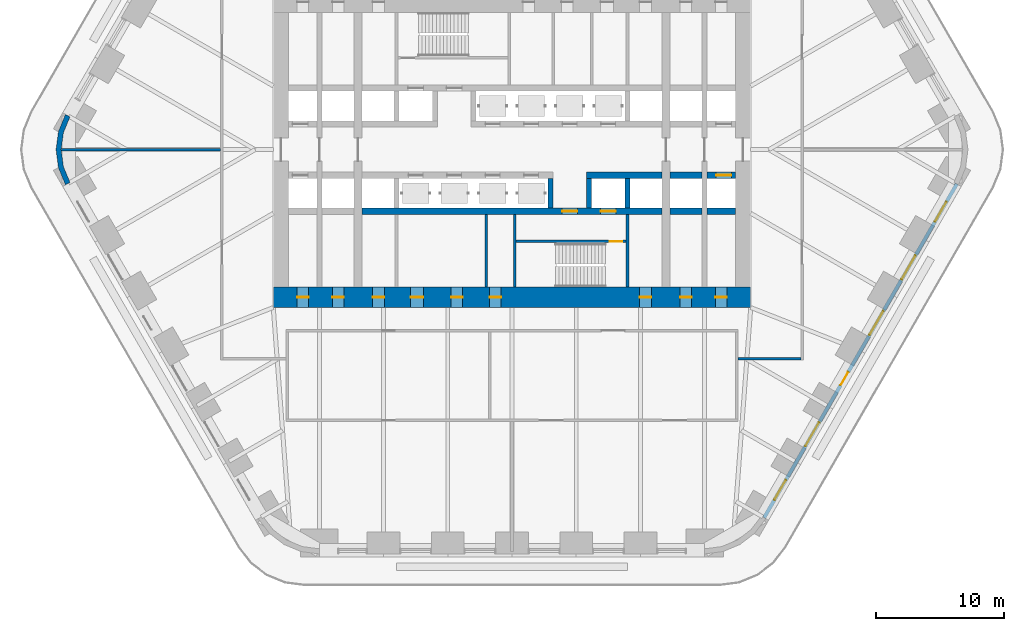
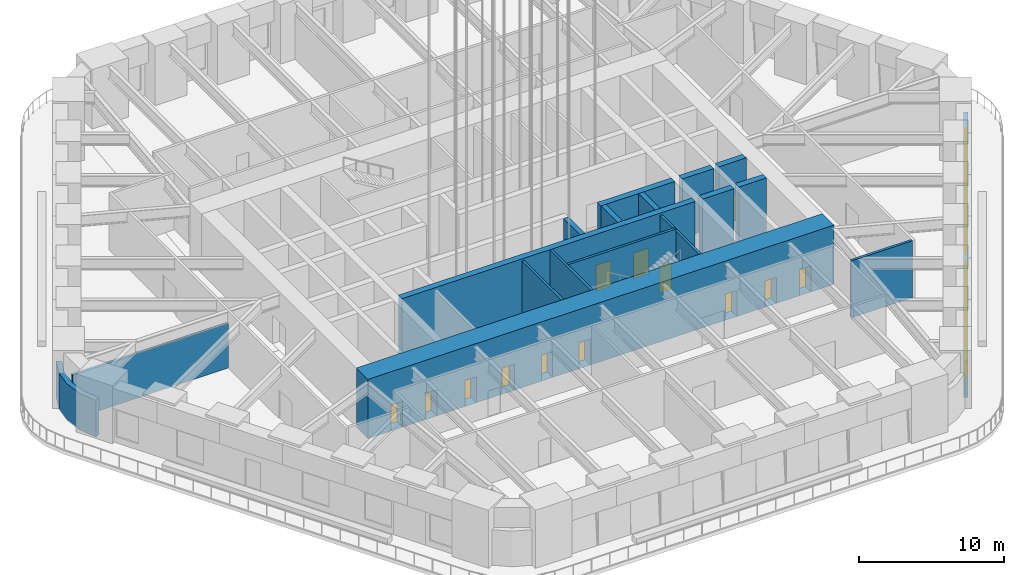
# One storey, part 8 of 15: 18 walls, 14 doors, 5 windows, 19 openings.
"""IFC4 building model written with IfcOpenShell, lengths in metres."""

from ifc_helpers import new_model, si_unit, direction, frame, frame_2d, origin, place, context, subcontext, project, spatial, polyline, rectangle, outline, extrude, material, layer, layer_set, type_object, element, fill, save


model = new_model("IFC4")

# Units and contexts
model_context = context("Model", 3, precision=1e-05, world=origin(), true_north=direction((0.0, 1.0)))
body_context = subcontext(model_context, "Body", "Model", "MODEL_VIEW")
ifc_project = project(units=[si_unit("LENGTHUNIT", "METRE"), si_unit("AREAUNIT", "SQUARE_METRE"), si_unit("VOLUMEUNIT", "CUBIC_METRE"), si_unit("PLANEANGLEUNIT", "RADIAN"), si_unit("MASSUNIT", "GRAM", prefix="KILO")], contexts=[model_context])

# Site, building, storey
site_placement = place(None, origin())
site = spatial("IfcSite", under=ifc_project, at=site_placement, CompositionType="ELEMENT")
building_placement = place(site_placement, origin())
building = spatial("IfcBuilding", under=site, at=building_placement, Name="Tarfa Lantern Tower", CompositionType="ELEMENT")
storey_placement = place(building_placement, frame((0.0, 0.0, 114.5)))
storey = spatial("IfcBuildingStorey", under=building, at=storey_placement, Name="L25", CompositionType="ELEMENT", Elevation=114.5)

# Wall, openings, door, windows
ifc_material_1 = material(Name="Limestone cladding on blockwork", Category="masonry")
ifc_layer_1 = layer(ifc_material_1, 0.300048828125)
ifc_layer_set_1 = layer_set([ifc_layer_1], Name="EW1 STONE-CLAD WALL 300")
wall_type_1 = type_object("IfcWallType", Name="EW1 STONE-CLAD WALL 300", PredefinedType="SOLIDWALL", material=ifc_layer_set_1)
wall_1_placement = place(storey_placement, frame((19.644287109375, -28.675048828125, 0.0), z_axis=(0.0, 0.0, 1.0), x_axis=(0.500003084452, 0.866023622968, 0.0)))
wall_1 = element("IfcWall", 1, at=wall_1_placement, inside=storey, type_object=wall_type_1, Name="Stone wall SE", PredefinedType="SOLIDWALL", context=body_context, shape_type="SweptSolid", body=[
    extrude(rectangle(XDim=30.022216796875, YDim=0.300048828125, at=frame_2d((15.01123046875, 0.0))), origin(), (0.0, 0.0, 1.0), 3.10009765625),
])
opening_1_placement = place(wall_1_placement, frame((1.601806640625, 0.0, 0.60009765625)))
opening_1 = element("IfcOpeningElement", 2, at=opening_1_placement, cuts=wall_1, Name="Opening W4", PredefinedType="OPENING", context=body_context, shape_type="SweptSolid", body=[
    extrude(rectangle(XDim=1.800048828125, YDim=2.25, at=frame_2d((0.89990234375, 1.125))), frame((0.0, 0.159912109375, 0.0), z_axis=(0.0, -1.0, 0.0), x_axis=(1.0, 0.0, 0.0)), (0.0, 0.0, 1.0), 0.320068359375),
])
opening_2_placement = place(wall_1_placement, frame((6.4306640625, 0.0, 0.60009765625)))
opening_2 = element("IfcOpeningElement", 3, at=opening_2_placement, cuts=wall_1, Name="Opening W5", PredefinedType="OPENING", context=body_context, shape_type="SweptSolid", body=[
    extrude(rectangle(XDim=2.14990234375, YDim=2.25, at=frame_2d((1.074951171875, 1.125))), frame((0.0, 0.159912109375, 0.0), z_axis=(0.0, -1.0, 0.0), x_axis=(1.0, 0.0, 0.0)), (0.0, 0.0, 1.0), 0.320068359375),
])
opening_3_placement = place(wall_1_placement, frame((11.9091796875, 0.0, 0.0)))
opening_3 = element("IfcOpeningElement", 4, at=opening_3_placement, cuts=wall_1, Name="Opening D44", PredefinedType="OPENING", context=body_context, shape_type="SweptSolid", body=[
    extrude(rectangle(XDim=1.199951171875, YDim=2.39990234375, at=frame_2d((0.60009765625, 1.199951171875))), frame((0.0, 0.159912109375, 0.0), z_axis=(0.0, -1.0, 0.0), x_axis=(1.0, 0.0, 0.0)), (0.0, 0.0, 1.0), 0.320068359375),
])
opening_4_placement = place(wall_1_placement, frame((16.43798828125, 0.0, 0.60009765625)))
opening_4 = element("IfcOpeningElement", 5, at=opening_4_placement, cuts=wall_1, Name="Opening W5", PredefinedType="OPENING", context=body_context, shape_type="SweptSolid", body=[
    extrude(rectangle(XDim=2.14990234375, YDim=2.25, at=frame_2d((1.074951171875, 1.125))), frame((0.0, 0.159912109375, 0.0), z_axis=(0.0, -1.0, 0.0), x_axis=(1.0, 0.0, 0.0)), (0.0, 0.0, 1.0), 0.320068359375),
])
opening_5_placement = place(wall_1_placement, frame((21.441650390625, 0.0, 0.60009765625)))
opening_5 = element("IfcOpeningElement", 6, at=opening_5_placement, cuts=wall_1, Name="Opening W5", PredefinedType="OPENING", context=body_context, shape_type="SweptSolid", body=[
    extrude(rectangle(XDim=2.14990234375, YDim=2.25, at=frame_2d((1.074951171875, 1.125))), frame((0.0, 0.159912109375, 0.0), z_axis=(0.0, -1.0, 0.0), x_axis=(1.0, 0.0, 0.0)), (0.0, 0.0, 1.0), 0.320068359375),
])
opening_6_placement = place(wall_1_placement, frame((26.620361328125, 0.0, 0.60009765625)))
opening_6 = element("IfcOpeningElement", 7, at=opening_6_placement, cuts=wall_1, Name="Opening W4", PredefinedType="OPENING", context=body_context, shape_type="SweptSolid", body=[
    extrude(rectangle(XDim=1.800048828125, YDim=2.25, at=frame_2d((0.89990234375, 1.125))), frame((0.0, 0.159912109375, 0.0), z_axis=(0.0, -1.0, 0.0), x_axis=(1.0, 0.0, 0.0)), (0.0, 0.0, 1.0), 0.320068359375),
])
ifc_material_2 = material(Name="Aluminium framed glazed door", Category="aluminium")
door_type_1 = type_object("IfcDoorType", Name="BE3 BALCONY DOOR 1200x2400", OperationType="SINGLE_SWING_RIGHT", PredefinedType="DOOR", material=ifc_material_2)
door_1_placement = place(opening_3_placement, origin())
door_1 = element("IfcDoor", 8, at=door_1_placement, inside=storey, type_object=door_type_1, Name="Balcony door SE", OperationType="SINGLE_SWING_RIGHT", OverallHeight=2.39990234375, OverallWidth=1.199951171875, PredefinedType="DOOR", context=body_context, shape_type="SweptSolid", body=[
    extrude(rectangle(XDim=1.199951171875, YDim=2.39990234375, at=frame_2d((0.60009765625, 1.199951171875))), frame((0.0, 0.02490234375, 0.0), z_axis=(0.0, -1.0, 0.0), x_axis=(1.0, 0.0, 0.0)), (0.0, 0.0, 1.0), 0.050048828125),
])
fill(opening_3, door_1)
ifc_material_3 = material(Name="Aluminium frame, double glazed", Category="aluminium")
window_type_1 = type_object("IfcWindowType", Name="W4 FULL-HEIGHT GLAZING 1800x2250", PartitioningType="SINGLE_PANEL", PredefinedType="WINDOW", material=ifc_material_3)
window_1_placement = place(opening_1_placement, origin())
window_1 = element("IfcWindow", 9, at=window_1_placement, inside=storey, type_object=window_type_1, Name="Window SE 1", OverallHeight=2.25, OverallWidth=1.800048828125, PartitioningType="SINGLE_PANEL", PredefinedType="WINDOW", context=body_context, shape_type="SweptSolid", body=[
    extrude(rectangle(XDim=1.800048828125, YDim=2.25, at=frame_2d((0.89990234375, 1.125))), frame((0.0, 0.030029296875, 0.0), z_axis=(0.0, -1.0, 0.0), x_axis=(1.0, 0.0, 0.0)), (0.0, 0.0, 1.0), 0.06005859375),
])
fill(opening_1, window_1)
window_2_placement = place(opening_6_placement, origin())
window_2 = element("IfcWindow", 10, at=window_2_placement, inside=storey, type_object=window_type_1, Name="Window SE 6", OverallHeight=2.25, OverallWidth=1.800048828125, PartitioningType="SINGLE_PANEL", PredefinedType="WINDOW", context=body_context, shape_type="SweptSolid", body=[
    extrude(rectangle(XDim=1.800048828125, YDim=2.25, at=frame_2d((0.89990234375, 1.125))), frame((0.0, 0.030029296875, 0.0), z_axis=(0.0, -1.0, 0.0), x_axis=(1.0, 0.0, 0.0)), (0.0, 0.0, 1.0), 0.06005859375),
])
fill(opening_6, window_2)
window_type_2 = type_object("IfcWindowType", Name="W5 FULL-HEIGHT GLAZING 2150x2250", PartitioningType="SINGLE_PANEL", PredefinedType="WINDOW", material=ifc_material_3)
window_3_placement = place(opening_2_placement, origin())
window_3 = element("IfcWindow", 11, at=window_3_placement, inside=storey, type_object=window_type_2, Name="Window SE 2", OverallHeight=2.25, OverallWidth=2.14990234375, PartitioningType="SINGLE_PANEL", PredefinedType="WINDOW", context=body_context, shape_type="SweptSolid", body=[
    extrude(rectangle(XDim=2.14990234375, YDim=2.25, at=frame_2d((1.074951171875, 1.125))), frame((0.0, 0.030029296875, 0.0), z_axis=(0.0, -1.0, 0.0), x_axis=(1.0, 0.0, 0.0)), (0.0, 0.0, 1.0), 0.06005859375),
])
fill(opening_2, window_3)
window_4_placement = place(opening_4_placement, origin())
window_4 = element("IfcWindow", 12, at=window_4_placement, inside=storey, type_object=window_type_2, Name="Window SE 4", OverallHeight=2.25, OverallWidth=2.14990234375, PartitioningType="SINGLE_PANEL", PredefinedType="WINDOW", context=body_context, shape_type="SweptSolid", body=[
    extrude(rectangle(XDim=2.14990234375, YDim=2.25, at=frame_2d((1.074951171875, 1.125))), frame((0.0, 0.030029296875, 0.0), z_axis=(0.0, -1.0, 0.0), x_axis=(1.0, 0.0, 0.0)), (0.0, 0.0, 1.0), 0.06005859375),
])
fill(opening_4, window_4)
window_5_placement = place(opening_5_placement, origin())
window_5 = element("IfcWindow", 13, at=window_5_placement, inside=storey, type_object=window_type_2, Name="Window SE 5", OverallHeight=2.25, OverallWidth=2.14990234375, PartitioningType="SINGLE_PANEL", PredefinedType="WINDOW", context=body_context, shape_type="SweptSolid", body=[
    extrude(rectangle(XDim=2.14990234375, YDim=2.25, at=frame_2d((1.074951171875, 1.125))), frame((0.0, 0.030029296875, 0.0), z_axis=(0.0, -1.0, 0.0), x_axis=(1.0, 0.0, 0.0)), (0.0, 0.0, 1.0), 0.06005859375),
])
fill(opening_5, window_5)

# Walls
ifc_layer_2 = layer(ifc_material_1, 0.39990234375)
ifc_layer_set_2 = layer_set([ifc_layer_2], Name="EW2 CURVED STONE CORNER 400")
wall_type_2 = type_object("IfcWallType", Name="EW2 CURVED STONE CORNER 400", PredefinedType="SOLIDWALL", material=ifc_layer_set_2)
wall_2_placement = place(storey_placement, origin())
element("IfcWall", 14, at=wall_2_placement, inside=storey, type_object=wall_type_2, Name="Stone corner NW-SW", PredefinedType="SOLIDWALL", context=body_context, shape_type="SweptSolid", body=[
    extrude(outline(polyline([(-34.785400390625, 2.75), (-35.334716796875, 1.423583984375), (-35.522216796875, 0.0), (-35.334716796875, -1.423583984375), (-34.785400390625, -2.75), (-34.43896484375, -2.550048828125), (-34.948486328125, -1.320068359375), (-35.122314453125, 0.0), (-34.948486328125, 1.320068359375), (-34.43896484375, 2.550048828125), (-34.785400390625, 2.75)])), origin(), (0.0, 0.0, 1.0), 3.10009765625),
])
ifc_material_4 = material(Name="Concrete blockwork", Category="masonry")
ifc_layer_3 = layer(ifc_material_4, 0.199951171875)
ifc_layer_set_3 = layer_set([ifc_layer_3], Name="IW1 BLOCKWORK PARTITION 200 EI 120")
wall_type_3 = type_object("IfcWallType", Name="IW1 BLOCKWORK PARTITION 200 EI 120", PredefinedType="PARTITIONING", material=ifc_layer_set_3)
for number, where, z_axis, x_axis, name in (
    (15, (9.0, -5.050048828125, 0.0), (0.0, 0.0, 1.0), (0.0, -1.0, 0.0), "Core partition"),
    (16, (-2.0, -5.050048828125, 0.0), (0.0, 0.0, 1.0), (0.0, -1.0, 0.0), "Core partition"),
):
    element("IfcWall", number, at=place(storey_placement, frame(where, z_axis=z_axis, x_axis=x_axis)), inside=storey, type_object=wall_type_3, Name=name, PredefinedType="PARTITIONING", context=body_context, shape_type="SweptSolid", body=[
        extrude(rectangle(XDim=5.64990234375, YDim=0.199951171875, at=frame_2d((2.824951171875, 0.0))), origin(), (0.0, 0.0, 1.0), 4.800048828125),
    ])
ifc_material_5 = material(Name="Gypsum board on steel studs", Category="steel")
ifc_layer_4 = layer(ifc_material_5, 0.2099609375)
ifc_layer_set_4 = layer_set([ifc_layer_4], Name="IW2 ACOUSTIC PARTITION 200")
wall_type_4 = type_object("IfcWallType", Name="IW2 ACOUSTIC PARTITION 200", PredefinedType="PARTITIONING", material=ifc_layer_set_4)
wall_3_placement = place(storey_placement, frame((17.60009765625, -16.300048828125, 0.0), z_axis=(0.0, 0.0, 1.0), x_axis=(1.0, 0.0, 0.0)))
element("IfcWall", 17, at=wall_3_placement, inside=storey, type_object=wall_type_4, Name="Partition", PredefinedType="PARTITIONING", context=body_context, shape_type="SweptSolid", body=[
    extrude(rectangle(XDim=4.89990234375, YDim=0.199951171875, at=frame_2d((2.449951171875, 0.0))), origin(), (0.0, 0.0, 1.0), 4.800048828125),
])
wall_4_placement = place(storey_placement, frame((-22.699951171875, 0.0, 0.0), z_axis=(0.0, 0.0, 1.0), x_axis=(-1.0, 0.0, 0.0)))
element("IfcWall", 18, at=wall_4_placement, inside=storey, type_object=wall_type_4, Name="Partition", PredefinedType="PARTITIONING", context=body_context, shape_type="SweptSolid", body=[
    extrude(rectangle(XDim=12.4091796875, YDim=0.199951171875, at=frame_2d((6.20458984375, 0.0))), origin(), (0.0, 0.0, 1.0), 3.743896484375),
])
ifc_material_6 = material(Name="Concrete C80/95", Category="concrete")
ifc_layer_5 = layer(ifc_material_6, 0.199951171875)
ifc_layer_set_5 = layer_set([ifc_layer_5], Name="SW12 CORE WALL 200")
wall_type_5 = type_object("IfcWallType", Name="SW12 CORE WALL 200", PredefinedType="SHEAR", material=ifc_layer_set_5)
wall_5_placement = place(storey_placement, frame((0.199951171875, -5.050048828125, 0.0), z_axis=(0.0, 0.0, 1.0), x_axis=(0.0, -1.0, 0.0)))
element("IfcWall", 19, at=wall_5_placement, inside=storey, type_object=wall_type_5, Name="Core wall stair shaft S", PredefinedType="SHEAR", context=body_context, shape_type="SweptSolid", body=[
    extrude(rectangle(XDim=5.64990234375, YDim=0.199951171875, at=frame_2d((2.824951171875, 0.0))), origin(), (0.0, 0.0, 1.0), 5.0),
])

# Wall, opening, door
wall_6_placement = place(storey_placement, frame((8.89990234375, -7.14990234375, 0.0), z_axis=(0.0, 0.0, 1.0), x_axis=(-1.0, 0.0, 0.0)))
wall_6 = element("IfcWall", 20, at=wall_6_placement, inside=storey, type_object=wall_type_5, Name="Core wall stair partition S", PredefinedType="SHEAR", context=body_context, shape_type="SweptSolid", body=[
    extrude(rectangle(XDim=8.599853515625, YDim=0.199951171875, at=frame_2d((4.2998046875, 0.0))), origin(), (0.0, 0.0, 1.0), 5.0),
])
opening_7_placement = place(wall_6_placement, frame((0.300048828125, 0.0, 0.0)))
opening_7 = element("IfcOpeningElement", 21, at=opening_7_placement, cuts=wall_6, Name="Opening D24", PredefinedType="OPENING", context=body_context, shape_type="SweptSolid", body=[
    extrude(rectangle(XDim=1.0, YDim=2.199951171875, at=frame_2d((0.5, 1.10009765625))), frame((0.0, 0.10986328125, 0.0), z_axis=(0.0, -1.0, 0.0), x_axis=(1.0, 0.0, 0.0)), (0.0, 0.0, 1.0), 0.219970703125),
])
ifc_material_7 = material(Name="Steel fire door", Category="steel")
door_type_2 = type_object("IfcDoorType", Name="DF2 STAIR DOOR 1000x2200", OperationType="SINGLE_SWING_LEFT", PredefinedType="DOOR", material=ifc_material_7)
door_2_placement = place(opening_7_placement, origin())
door_2 = element("IfcDoor", 22, at=door_2_placement, inside=storey, type_object=door_type_2, Name="Stair door", OperationType="SINGLE_SWING_RIGHT", OverallHeight=2.199951171875, OverallWidth=1.0, PredefinedType="DOOR", context=body_context, shape_type="SweptSolid", body=[
    extrude(rectangle(XDim=1.0, YDim=2.199951171875, at=frame_2d((0.5, 1.10009765625))), frame((0.0, 0.02490234375, 0.0), z_axis=(0.0, -1.0, 0.0), x_axis=(1.0, 0.0, 0.0)), (0.0, 0.0, 1.0), 0.050048828125),
])
fill(opening_7, door_2)

ifc_layer_6 = layer(ifc_material_6, 0.5)
ifc_layer_set_6 = layer_set([ifc_layer_6], Name="SW5 CORE WALL 500")
wall_type_6 = type_object("IfcWallType", Name="SW5 CORE WALL 500", PredefinedType="SHEAR", material=ifc_layer_set_6)
wall_7_placement = place(storey_placement, frame((17.39990234375, -2.0, 0.0), z_axis=(0.0, 0.0, 1.0), x_axis=(-1.0, 0.0, 0.0)))
wall_7 = element("IfcWall", 23, at=wall_7_placement, inside=storey, type_object=wall_type_6, Name="Core wall lobby west S", PredefinedType="SHEAR", context=body_context, shape_type="SweptSolid", body=[
    extrude(rectangle(XDim=2.199951171875, YDim=0.5, at=frame_2d((1.10009765625, 0.0))), origin(), (0.0, 0.0, 1.0), 5.0),
])
opening_8_placement = place(wall_7_placement, frame((0.300048828125, 0.0, 0.0)))
opening_8 = element("IfcOpeningElement", 24, at=opening_8_placement, cuts=wall_7, Name="Opening LD13", PredefinedType="OPENING", context=body_context, shape_type="SweptSolid", body=[
    extrude(rectangle(XDim=1.199951171875, YDim=2.199951171875, at=frame_2d((0.60009765625, 1.10009765625))), frame((0.0, 0.260009765625, 0.0), z_axis=(0.0, -1.0, 0.0), x_axis=(1.0, 0.0, 0.0)), (0.0, 0.0, 1.0), 0.52001953125),
])
ifc_material_8 = material(Name="Stainless steel lift door", Category="steel")
door_type_3 = type_object("IfcDoorType", Name="LD1 LIFT LANDING DOOR 1200x2200", OperationType="SLIDING_TO_LEFT", PredefinedType="DOOR", material=ifc_material_8)
door_3_placement = place(opening_8_placement, frame((1.199951171875, 0.0, 0.0), z_axis=(0.0, 0.0, 1.0), x_axis=(-1.0, 0.0, 0.0)))
door_3 = element("IfcDoor", 25, at=door_3_placement, inside=storey, type_object=door_type_3, Name="Landing door S3", OperationType="SLIDING_TO_LEFT", OverallHeight=2.199951171875, OverallWidth=1.199951171875, PredefinedType="DOOR", context=body_context, shape_type="SweptSolid", body=[
    extrude(rectangle(XDim=1.199951171875, YDim=2.199951171875, at=frame_2d((0.60009765625, 1.10009765625))), frame((0.0, 0.02490234375, 0.0), z_axis=(0.0, -1.0, 0.0), x_axis=(1.0, 0.0, 0.0)), (0.0, 0.0, 1.0), 0.050048828125),
])
fill(opening_8, door_3)

# Walls
wall_8_placement = place(storey_placement, frame((14.800048828125, -2.0, 0.0), z_axis=(0.0, 0.0, 1.0), x_axis=(-1.0, 0.0, 0.0)))
element("IfcWall", 26, at=wall_8_placement, inside=storey, type_object=wall_type_6, Name="Core wall lobby west S", PredefinedType="SHEAR", context=body_context, shape_type="SweptSolid", body=[
    extrude(rectangle(XDim=2.5, YDim=0.5, at=frame_2d((1.25, 0.0))), origin(), (0.0, 0.0, 1.0), 5.0),
])
wall_9_placement = place(storey_placement, frame((11.699951171875, -2.0, 0.0), z_axis=(0.0, 0.0, 1.0), x_axis=(-1.0, 0.0, 0.0)))
element("IfcWall", 27, at=wall_9_placement, inside=storey, type_object=wall_type_6, Name="Core wall lobby west S", PredefinedType="SHEAR", context=body_context, shape_type="SweptSolid", body=[
    extrude(rectangle(XDim=5.89990234375, YDim=0.5, at=frame_2d((2.949951171875, 0.0))), origin(), (0.0, 0.0, 1.0), 5.0),
])
wall_10_placement = place(storey_placement, frame((17.39990234375, -4.800048828125, 0.0), z_axis=(0.0, 0.0, 1.0), x_axis=(-1.0, 0.0, 0.0)))
element("IfcWall", 28, at=wall_10_placement, inside=storey, type_object=wall_type_6, Name="Core wall rear S", PredefinedType="SHEAR", context=body_context, shape_type="SweptSolid", body=[
    extrude(rectangle(XDim=2.199951171875, YDim=0.5, at=frame_2d((1.10009765625, 0.0))), origin(), (0.0, 0.0, 1.0), 5.0),
])
wall_11_placement = place(storey_placement, frame((14.800048828125, -4.800048828125, 0.0), z_axis=(0.0, 0.0, 1.0), x_axis=(-1.0, 0.0, 0.0)))
element("IfcWall", 29, at=wall_11_placement, inside=storey, type_object=wall_type_6, Name="Core wall rear S", PredefinedType="SHEAR", context=body_context, shape_type="SweptSolid", body=[
    extrude(rectangle(XDim=2.5, YDim=0.5, at=frame_2d((1.25, 0.0))), origin(), (0.0, 0.0, 1.0), 5.0),
])

# Wall, openings, doors
wall_12_placement = place(storey_placement, frame((11.699951171875, -4.800048828125, 0.0), z_axis=(0.0, 0.0, 1.0), x_axis=(-1.0, 0.0, 0.0)))
wall_12 = element("IfcWall", 30, at=wall_12_placement, inside=storey, type_object=wall_type_6, Name="Core wall rear S", PredefinedType="SHEAR", context=body_context, shape_type="SweptSolid", body=[
    extrude(rectangle(XDim=23.39990234375, YDim=0.5, at=frame_2d((11.699951171875, 0.0))), origin(), (0.0, 0.0, 1.0), 5.0),
])
opening_9_placement = place(wall_12_placement, frame((6.60009765625, 0.0, 0.0)))
opening_9 = element("IfcOpeningElement", 31, at=opening_9_placement, cuts=wall_12, Name="Opening D14", PredefinedType="OPENING", context=body_context, shape_type="SweptSolid", body=[
    extrude(rectangle(XDim=1.199951171875, YDim=2.199951171875, at=frame_2d((0.60009765625, 1.10009765625))), frame((0.0, 0.260009765625, 0.0), z_axis=(0.0, -1.0, 0.0), x_axis=(1.0, 0.0, 0.0)), (0.0, 0.0, 1.0), 0.52001953125),
])
opening_10_placement = place(wall_12_placement, frame((3.60009765625, 0.0, 0.0)))
opening_10 = element("IfcOpeningElement", 32, at=opening_10_placement, cuts=wall_12, Name="Opening LD02", PredefinedType="OPENING", context=body_context, shape_type="SweptSolid", body=[
    extrude(rectangle(XDim=1.199951171875, YDim=2.199951171875, at=frame_2d((0.60009765625, 1.10009765625))), frame((0.0, 0.260009765625, 0.0), z_axis=(0.0, -1.0, 0.0), x_axis=(1.0, 0.0, 0.0)), (0.0, 0.0, 1.0), 0.52001953125),
])
door_type_4 = type_object("IfcDoorType", Name="DF1 FIREFIGHTING LOBBY DOOR 1200x2200", OperationType="SINGLE_SWING_LEFT", PredefinedType="DOOR", material=ifc_material_7)
door_4_placement = place(opening_9_placement, origin())
door_4 = element("IfcDoor", 33, at=door_4_placement, inside=storey, type_object=door_type_4, Name="Firefighting lobby door", OperationType="SINGLE_SWING_LEFT", OverallHeight=2.199951171875, OverallWidth=1.199951171875, PredefinedType="DOOR", context=body_context, shape_type="SweptSolid", body=[
    extrude(rectangle(XDim=1.199951171875, YDim=2.199951171875, at=frame_2d((0.60009765625, 1.10009765625))), frame((0.0, 0.02490234375, 0.0), z_axis=(0.0, -1.0, 0.0), x_axis=(1.0, 0.0, 0.0)), (0.0, 0.0, 1.0), 0.050048828125),
])
fill(opening_9, door_4)
door_5_placement = place(opening_10_placement, origin())
door_5 = element("IfcDoor", 34, at=door_5_placement, inside=storey, type_object=door_type_3, Name="Landing door FL2", OperationType="SLIDING_TO_LEFT", OverallHeight=2.199951171875, OverallWidth=1.199951171875, PredefinedType="DOOR", context=body_context, shape_type="SweptSolid", body=[
    extrude(rectangle(XDim=1.199951171875, YDim=2.199951171875, at=frame_2d((0.60009765625, 1.10009765625))), frame((0.0, 0.02490234375, 0.0), z_axis=(0.0, -1.0, 0.0), x_axis=(1.0, 0.0, 0.0)), (0.0, 0.0, 1.0), 0.050048828125),
])
fill(opening_10, door_5)

# Walls
ifc_layer_7 = layer(ifc_material_6, 0.39990234375)
ifc_layer_set_7 = layer_set([ifc_layer_7], Name="SW6 CORE WALL 400")
wall_type_7 = type_object("IfcWallType", Name="SW6 CORE WALL 400", PredefinedType="SHEAR", material=ifc_layer_set_7)
for number, where, z_axis, x_axis, name in (
    (35, (9.0, -2.25, 0.0), (0.0, 0.0, 1.0), (0.0, -1.0, 0.0), "Core wall divider S"),
    (36, (6.0, -2.25, 0.0), (0.0, 0.0, 1.0), (0.0, -1.0, 0.0), "Core wall divider S"),
    (37, (3.0, -2.25, 0.0), (0.0, 0.0, 1.0), (0.0, -1.0, 0.0), "Core wall divider S"),
):
    element("IfcWall", number, at=place(storey_placement, frame(where, z_axis=z_axis, x_axis=x_axis)), inside=storey, type_object=wall_type_7, Name=name, PredefinedType="SHEAR", context=body_context, shape_type="SweptSolid", body=[
        extrude(rectangle(XDim=2.300048828125, YDim=0.39990234375, at=frame_2d((1.14990234375, 0.0))), origin(), (0.0, 0.0, 1.0), 5.0),
    ])

# Wall, openings, doors
ifc_layer_8 = layer(ifc_material_6, 1.60009765625)
ifc_layer_set_8 = layer_set([ifc_layer_8], Name="SW7 CORE WALL 1600")
wall_type_8 = type_object("IfcWallType", Name="SW7 CORE WALL 1600", PredefinedType="SHEAR", material=ifc_layer_set_8)
wall_13_placement = place(storey_placement, frame((18.60009765625, -11.5, 0.0), z_axis=(0.0, 0.0, 1.0), x_axis=(-1.0, 0.0, 0.0)))
wall_13 = element("IfcWall", 38, at=wall_13_placement, inside=storey, type_object=wall_type_8, Name="Core wall S", PredefinedType="SHEAR", context=body_context, shape_type="SweptSolid", body=[
    extrude(rectangle(XDim=37.2001953125, YDim=1.60009765625, at=frame_2d((18.60009765625, 0.0))), origin(), (0.0, 0.0, 1.0), 5.0),
])
opening_11_placement = place(wall_13_placement, frame((19.449951171875, 0.0, 0.0)))
opening_11 = element("IfcOpeningElement", 39, at=opening_11_placement, cuts=wall_13, Name="Opening D18", PredefinedType="OPENING", context=body_context, shape_type="SweptSolid", body=[
    extrude(rectangle(XDim=0.89990234375, YDim=2.199951171875, at=frame_2d((0.449951171875, 1.10009765625))), frame((0.0, 0.81005859375, 0.0), z_axis=(0.0, -1.0, 0.0), x_axis=(1.0, 0.0, 0.0)), (0.0, 0.0, 1.0), 1.6201171875),
])
opening_12_placement = place(wall_13_placement, frame((22.449951171875, 0.0, 0.0)))
opening_12 = element("IfcOpeningElement", 40, at=opening_12_placement, cuts=wall_13, Name="Opening D20", PredefinedType="OPENING", context=body_context, shape_type="SweptSolid", body=[
    extrude(rectangle(XDim=0.89990234375, YDim=2.199951171875, at=frame_2d((0.449951171875, 1.10009765625))), frame((0.0, 0.81005859375, 0.0), z_axis=(0.0, -1.0, 0.0), x_axis=(1.0, 0.0, 0.0)), (0.0, 0.0, 1.0), 1.6201171875),
])
opening_13_placement = place(wall_13_placement, frame((25.5, 0.0, 0.0)))
opening_13 = element("IfcOpeningElement", 41, at=opening_13_placement, cuts=wall_13, Name="Opening D22", PredefinedType="OPENING", context=body_context, shape_type="SweptSolid", body=[
    extrude(rectangle(XDim=1.0, YDim=2.199951171875, at=frame_2d((0.5, 1.10009765625))), frame((0.0, 0.81005859375, 0.0), z_axis=(0.0, -1.0, 0.0), x_axis=(1.0, 0.0, 0.0)), (0.0, 0.0, 1.0), 1.6201171875),
])
opening_14_placement = place(wall_13_placement, frame((1.85009765625, 0.0, 0.0)))
opening_14 = element("IfcOpeningElement", 42, at=opening_14_placement, cuts=wall_13, Name="Opening D12", PredefinedType="OPENING", context=body_context, shape_type="SweptSolid", body=[
    extrude(rectangle(XDim=0.89990234375, YDim=2.199951171875, at=frame_2d((0.449951171875, 1.10009765625))), frame((0.0, 0.81005859375, 0.0), z_axis=(0.0, -1.0, 0.0), x_axis=(1.0, 0.0, 0.0)), (0.0, 0.0, 1.0), 1.6201171875),
])
opening_15_placement = place(wall_13_placement, frame((4.60009765625, 0.0, 0.0)))
opening_15 = element("IfcOpeningElement", 43, at=opening_15_placement, cuts=wall_13, Name="Opening D08", PredefinedType="OPENING", context=body_context, shape_type="SweptSolid", body=[
    extrude(rectangle(XDim=0.89990234375, YDim=2.199951171875, at=frame_2d((0.449951171875, 1.10009765625))), frame((0.0, 0.81005859375, 0.0), z_axis=(0.0, -1.0, 0.0), x_axis=(1.0, 0.0, 0.0)), (0.0, 0.0, 1.0), 1.6201171875),
])
opening_16_placement = place(wall_13_placement, frame((7.75, 0.0, 0.0)))
opening_16 = element("IfcOpeningElement", 44, at=opening_16_placement, cuts=wall_13, Name="Opening D10", PredefinedType="OPENING", context=body_context, shape_type="SweptSolid", body=[
    extrude(rectangle(XDim=0.89990234375, YDim=2.199951171875, at=frame_2d((0.449951171875, 1.10009765625))), frame((0.0, 0.81005859375, 0.0), z_axis=(0.0, -1.0, 0.0), x_axis=(1.0, 0.0, 0.0)), (0.0, 0.0, 1.0), 1.6201171875),
])
opening_17_placement = place(wall_13_placement, frame((28.550048828125, 0.0, 0.0)))
opening_17 = element("IfcOpeningElement", 45, at=opening_17_placement, cuts=wall_13, Name="Opening D06", PredefinedType="OPENING", context=body_context, shape_type="SweptSolid", body=[
    extrude(rectangle(XDim=0.89990234375, YDim=2.199951171875, at=frame_2d((0.449951171875, 1.10009765625))), frame((0.0, 0.81005859375, 0.0), z_axis=(0.0, -1.0, 0.0), x_axis=(1.0, 0.0, 0.0)), (0.0, 0.0, 1.0), 1.6201171875),
])
opening_18_placement = place(wall_13_placement, frame((31.699951171875, 0.0, 0.0)))
opening_18 = element("IfcOpeningElement", 46, at=opening_18_placement, cuts=wall_13, Name="Opening D02", PredefinedType="OPENING", context=body_context, shape_type="SweptSolid", body=[
    extrude(rectangle(XDim=0.89990234375, YDim=2.199951171875, at=frame_2d((0.449951171875, 1.10009765625))), frame((0.0, 0.81005859375, 0.0), z_axis=(0.0, -1.0, 0.0), x_axis=(1.0, 0.0, 0.0)), (0.0, 0.0, 1.0), 1.6201171875),
])
opening_19_placement = place(wall_13_placement, frame((34.449951171875, 0.0, 0.0)))
opening_19 = element("IfcOpeningElement", 47, at=opening_19_placement, cuts=wall_13, Name="Opening D04", PredefinedType="OPENING", context=body_context, shape_type="SweptSolid", body=[
    extrude(rectangle(XDim=0.89990234375, YDim=2.199951171875, at=frame_2d((0.449951171875, 1.10009765625))), frame((0.0, 0.81005859375, 0.0), z_axis=(0.0, -1.0, 0.0), x_axis=(1.0, 0.0, 0.0)), (0.0, 0.0, 1.0), 1.6201171875),
])
door_type_5 = type_object("IfcDoorType", Name="DF3 CORE ROOM DOOR 900x2200", OperationType="SINGLE_SWING_LEFT", PredefinedType="DOOR", material=ifc_material_7)
door_6_placement = place(opening_11_placement, frame((0.89990234375, 0.0, 0.0), z_axis=(0.0, 0.0, 1.0), x_axis=(-1.0, 0.0, 0.0)))
door_6 = element("IfcDoor", 48, at=door_6_placement, inside=storey, type_object=door_type_5, Name="Core door", OperationType="SINGLE_SWING_RIGHT", OverallHeight=2.199951171875, OverallWidth=0.89990234375, PredefinedType="DOOR", context=body_context, shape_type="SweptSolid", body=[
    extrude(rectangle(XDim=0.89990234375, YDim=2.199951171875, at=frame_2d((0.449951171875, 1.10009765625))), frame((0.0, 0.02490234375, 0.0), z_axis=(0.0, -1.0, 0.0), x_axis=(1.0, 0.0, 0.0)), (0.0, 0.0, 1.0), 0.050048828125),
])
fill(opening_11, door_6)
door_7_placement = place(opening_12_placement, frame((0.89990234375, 0.0, 0.0), z_axis=(0.0, 0.0, 1.0), x_axis=(-1.0, 0.0, 0.0)))
door_7 = element("IfcDoor", 49, at=door_7_placement, inside=storey, type_object=door_type_5, Name="Core door", OperationType="SINGLE_SWING_LEFT", OverallHeight=2.199951171875, OverallWidth=0.89990234375, PredefinedType="DOOR", context=body_context, shape_type="SweptSolid", body=[
    extrude(rectangle(XDim=0.89990234375, YDim=2.199951171875, at=frame_2d((0.449951171875, 1.10009765625))), frame((0.0, 0.02490234375, 0.0), z_axis=(0.0, -1.0, 0.0), x_axis=(1.0, 0.0, 0.0)), (0.0, 0.0, 1.0), 0.050048828125),
])
fill(opening_12, door_7)
door_type_6 = type_object("IfcDoorType", Name="DF4 CORE ROOM DOOR 1000x2200", OperationType="SINGLE_SWING_LEFT", PredefinedType="DOOR", material=ifc_material_7)
door_8_placement = place(opening_13_placement, frame((1.0, 0.0, 0.0), z_axis=(0.0, 0.0, 1.0), x_axis=(-1.0, 0.0, 0.0)))
door_8 = element("IfcDoor", 50, at=door_8_placement, inside=storey, type_object=door_type_6, Name="Core door", OperationType="SINGLE_SWING_RIGHT", OverallHeight=2.199951171875, OverallWidth=1.0, PredefinedType="DOOR", context=body_context, shape_type="SweptSolid", body=[
    extrude(rectangle(XDim=1.0, YDim=2.199951171875, at=frame_2d((0.5, 1.10009765625))), frame((0.0, 0.02490234375, 0.0), z_axis=(0.0, -1.0, 0.0), x_axis=(1.0, 0.0, 0.0)), (0.0, 0.0, 1.0), 0.050048828125),
])
fill(opening_13, door_8)
door_type_7 = type_object("IfcDoorType", Name="DF5 RISER DOOR 900x2200", OperationType="SINGLE_SWING_LEFT", PredefinedType="DOOR", material=ifc_material_7)
door_9_placement = place(opening_14_placement, frame((0.89990234375, 0.0, 0.0), z_axis=(0.0, 0.0, 1.0), x_axis=(-1.0, 0.0, 0.0)))
door_9 = element("IfcDoor", 51, at=door_9_placement, inside=storey, type_object=door_type_7, Name="Riser door", OperationType="SINGLE_SWING_LEFT", OverallHeight=2.199951171875, OverallWidth=0.89990234375, PredefinedType="DOOR", context=body_context, shape_type="SweptSolid", body=[
    extrude(rectangle(XDim=0.89990234375, YDim=2.199951171875, at=frame_2d((0.449951171875, 1.10009765625))), frame((0.0, 0.02490234375, 0.0), z_axis=(0.0, -1.0, 0.0), x_axis=(1.0, 0.0, 0.0)), (0.0, 0.0, 1.0), 0.050048828125),
])
fill(opening_14, door_9)
door_10_placement = place(opening_15_placement, frame((0.89990234375, 0.0, 0.0), z_axis=(0.0, 0.0, 1.0), x_axis=(-1.0, 0.0, 0.0)))
door_10 = element("IfcDoor", 52, at=door_10_placement, inside=storey, type_object=door_type_7, Name="Riser door", OperationType="SINGLE_SWING_LEFT", OverallHeight=2.199951171875, OverallWidth=0.89990234375, PredefinedType="DOOR", context=body_context, shape_type="SweptSolid", body=[
    extrude(rectangle(XDim=0.89990234375, YDim=2.199951171875, at=frame_2d((0.449951171875, 1.10009765625))), frame((0.0, 0.02490234375, 0.0), z_axis=(0.0, -1.0, 0.0), x_axis=(1.0, 0.0, 0.0)), (0.0, 0.0, 1.0), 0.050048828125),
])
fill(opening_15, door_10)
door_11_placement = place(opening_16_placement, frame((0.89990234375, 0.0, 0.0), z_axis=(0.0, 0.0, 1.0), x_axis=(-1.0, 0.0, 0.0)))
door_11 = element("IfcDoor", 53, at=door_11_placement, inside=storey, type_object=door_type_7, Name="Riser door", OperationType="SINGLE_SWING_LEFT", OverallHeight=2.199951171875, OverallWidth=0.89990234375, PredefinedType="DOOR", context=body_context, shape_type="SweptSolid", body=[
    extrude(rectangle(XDim=0.89990234375, YDim=2.199951171875, at=frame_2d((0.449951171875, 1.10009765625))), frame((0.0, 0.02490234375, 0.0), z_axis=(0.0, -1.0, 0.0), x_axis=(1.0, 0.0, 0.0)), (0.0, 0.0, 1.0), 0.050048828125),
])
fill(opening_16, door_11)
door_12_placement = place(opening_17_placement, frame((0.89990234375, 0.0, 0.0), z_axis=(0.0, 0.0, 1.0), x_axis=(-1.0, 0.0, 0.0)))
door_12 = element("IfcDoor", 54, at=door_12_placement, inside=storey, type_object=door_type_7, Name="Riser door", OperationType="SINGLE_SWING_RIGHT", OverallHeight=2.199951171875, OverallWidth=0.89990234375, PredefinedType="DOOR", context=body_context, shape_type="SweptSolid", body=[
    extrude(rectangle(XDim=0.89990234375, YDim=2.199951171875, at=frame_2d((0.449951171875, 1.10009765625))), frame((0.0, 0.02490234375, 0.0), z_axis=(0.0, -1.0, 0.0), x_axis=(1.0, 0.0, 0.0)), (0.0, 0.0, 1.0), 0.050048828125),
])
fill(opening_17, door_12)
door_13_placement = place(opening_18_placement, frame((0.89990234375, 0.0, 0.0), z_axis=(0.0, 0.0, 1.0), x_axis=(-1.0, 0.0, 0.0)))
door_13 = element("IfcDoor", 55, at=door_13_placement, inside=storey, type_object=door_type_7, Name="Riser door", OperationType="SINGLE_SWING_RIGHT", OverallHeight=2.199951171875, OverallWidth=0.89990234375, PredefinedType="DOOR", context=body_context, shape_type="SweptSolid", body=[
    extrude(rectangle(XDim=0.89990234375, YDim=2.199951171875, at=frame_2d((0.449951171875, 1.10009765625))), frame((0.0, 0.02490234375, 0.0), z_axis=(0.0, -1.0, 0.0), x_axis=(1.0, 0.0, 0.0)), (0.0, 0.0, 1.0), 0.050048828125),
])
fill(opening_18, door_13)
door_14_placement = place(opening_19_placement, frame((0.89990234375, 0.0, 0.0), z_axis=(0.0, 0.0, 1.0), x_axis=(-1.0, 0.0, 0.0)))
door_14 = element("IfcDoor", 56, at=door_14_placement, inside=storey, type_object=door_type_7, Name="Riser door", OperationType="SINGLE_SWING_RIGHT", OverallHeight=2.199951171875, OverallWidth=0.89990234375, PredefinedType="DOOR", context=body_context, shape_type="SweptSolid", body=[
    extrude(rectangle(XDim=0.89990234375, YDim=2.199951171875, at=frame_2d((0.449951171875, 1.10009765625))), frame((0.0, 0.02490234375, 0.0), z_axis=(0.0, -1.0, 0.0), x_axis=(1.0, 0.0, 0.0)), (0.0, 0.0, 1.0), 0.050048828125),
])
fill(opening_19, door_14)

save(model, "model.ifc")
